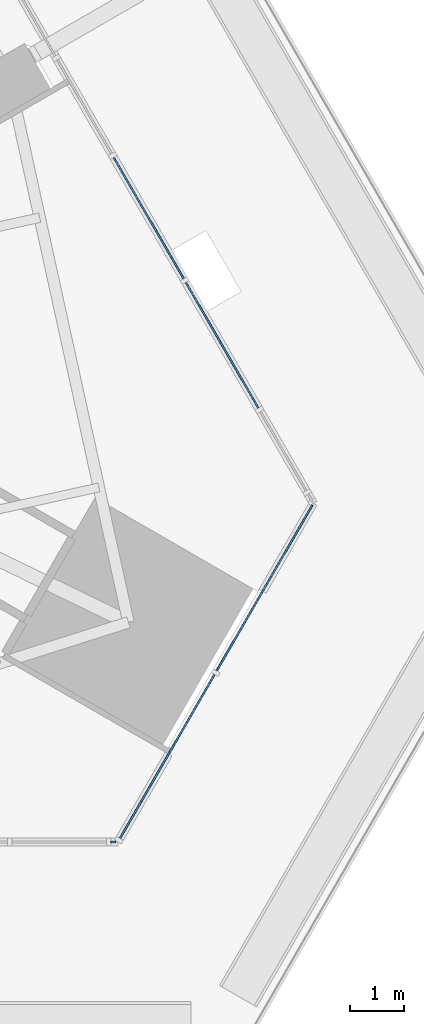
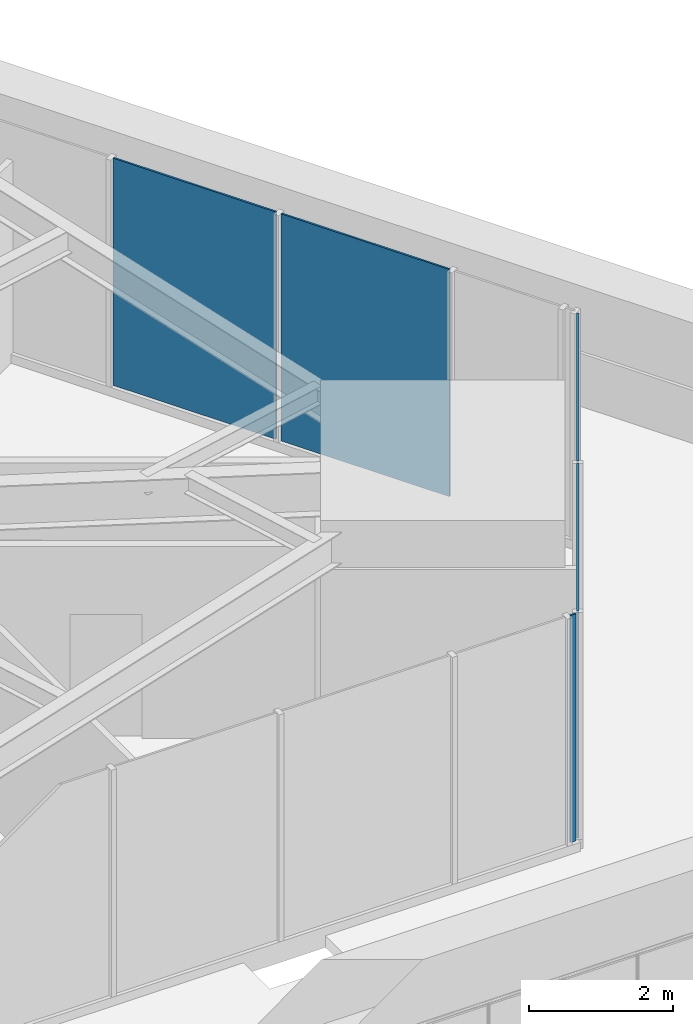
# One storey, part 15 of 29: 5 plates, 3 elements without a shape of their own.
"""IFC4 building model written with IfcOpenShell, lengths in metres."""

from ifc_helpers import new_model, si_unit, direction, frame, origin, place, context, subcontext, project, spatial, polyline, outline, extrude, material, layer, layer_set, type_object, element, aggregate, save


model = new_model("IFC4")

# Units and contexts
model_context = context("Model", 3, precision=1e-05, world=origin(), true_north=direction((0.0, 1.0)))
body_context = subcontext(model_context, "Body", "Model", "MODEL_VIEW")
ifc_project = project(units=[si_unit("LENGTHUNIT", "METRE"), si_unit("AREAUNIT", "SQUARE_METRE"), si_unit("VOLUMEUNIT", "CUBIC_METRE"), si_unit("PLANEANGLEUNIT", "RADIAN"), si_unit("MASSUNIT", "GRAM", prefix="KILO")], contexts=[model_context])

# Site, building, storey
site_placement = place(None, origin())
site = spatial("IfcSite", under=ifc_project, at=site_placement, CompositionType="ELEMENT")
building_placement = place(site_placement, origin())
building = spatial("IfcBuilding", under=site, at=building_placement, Name="Firuza Gate Tower and Library", CompositionType="ELEMENT")
storey_placement = place(building_placement, frame((0.0, 0.0, 48.39990234375)))
storey = spatial("IfcBuildingStorey", under=building, at=storey_placement, Name="L10", CompositionType="ELEMENT", Elevation=48.39990234375)

# Curtain wall, plates
ifc_material_1 = material(Name="Aluminium 6063-T6", Category="aluminium")
ifc_layer_1 = layer(ifc_material_1, 0.14990234375)
ifc_layer_set_1 = layer_set([ifc_layer_1], Name="Corner curtain wall, chamfers")
curtain_wall_type_1 = type_object("IfcCurtainWallType", Name="Corner curtain wall, chamfers", PredefinedType="NOTDEFINED", material=ifc_layer_set_1)
placement = place(storey_placement, origin())
curtain_wall_1 = element("IfcCurtainWall", 1, at=placement, inside=storey, type_object=curtain_wall_type_1, Name="CW4 L10 SE corner", PredefinedType="NOTDEFINED")
ifc_material_2 = material(Name="Fritted glass", Category="glass")
ifc_layer_2 = layer(ifc_material_2, 0.030029296875)
ifc_layer_set_2 = layer_set([ifc_layer_2], Name="Fritted glass unit, corners")
plate_type_1 = type_object("IfcPlateType", Name="Fritted glass unit, corners", PredefinedType="CURTAIN_PANEL", material=ifc_layer_set_2)
plate_1_placement = place(storey_placement, frame((103.778076171875, 54.224365234375, 0.150146484375), z_axis=(0.866046390552, -0.49996364809, 0.0), x_axis=(0.49996364809, 0.866046390552, 0.0)))
plate_1 = element("IfcPlate", 2, at=plate_1_placement, type_object=plate_type_1, Name="Glass unit", PredefinedType="CURTAIN_PANEL", context=body_context, shape_type="SweptSolid", body=[
    extrude(outline(polyline([(0.0, 0.0), (3.563247342942594, 0.0), (3.563247342942594, 3.849853515625), (0.0, 3.849853515625), (0.0, 0.0)])), origin(), (0.0, 0.0, -1.0), 0.030029296875),
])
plate_2_placement = place(storey_placement, frame((105.599609375, 57.37939453125, 0.150146484375), z_axis=(0.866016723041, -0.500015035186, 0.0), x_axis=(0.500015035186, 0.866016723041, 0.0)))
plate_2 = element("IfcPlate", 3, at=plate_2_placement, type_object=plate_type_1, Name="Glass unit", PredefinedType="CURTAIN_PANEL", context=body_context, shape_type="SweptSolid", body=[
    extrude(outline(polyline([(0.0, 0.0), (3.5633694106530625, 0.0), (3.5633694106530625, 3.849853515625), (0.0, 3.849853515625), (0.0, 0.0)])), origin(), (0.0, 0.0, -1.0), 0.030029296875),
])
aggregate(curtain_wall_1, [plate_1, plate_2])

# Curtain wall, plate
ifc_material_3 = material(Name="Aluminium 6063-T6", Category="aluminium")
ifc_layer_3 = layer(ifc_material_3, 0.14990234375)
ifc_layer_set_3 = layer_set([ifc_layer_3], Name="Unitised curtain wall, offices")
curtain_wall_type_2 = type_object("IfcCurtainWallType", Name="Unitised curtain wall, offices", PredefinedType="NOTDEFINED", material=ifc_layer_set_3)
curtain_wall_2 = element("IfcCurtainWall", 4, at=placement, inside=storey, type_object=curtain_wall_type_2, Name="CW1 L10 S face", PredefinedType="NOTDEFINED")
ifc_material_4 = material(Name="Glazed ceramic tile")
ifc_layer_4 = layer(ifc_material_4, 0.030029296875)
ifc_layer_set_4 = layer_set([ifc_layer_4], Name="Opaque ceramic panel, offices")
plate_type_2 = type_object("IfcPlateType", Name="Opaque ceramic panel, offices", PredefinedType="CURTAIN_PANEL", material=ifc_layer_set_4)
plate_3_placement = place(storey_placement, frame((103.6171875, 54.18212890625, 0.150146484375), z_axis=(0.0, -1.0, 0.0), x_axis=(1.0, 0.0, 0.0)))
plate_3 = element("IfcPlate", 5, at=plate_3_placement, type_object=plate_type_2, Name="Opaque ceramic panel", PredefinedType="CURTAIN_PANEL", context=body_context, shape_type="SweptSolid", body=[
    extrude(outline(polyline([(0.0, 0.0), (0.087890625, 0.0), (0.087890625, 3.849853515625), (0.0, 3.849853515625), (0.0, 0.0)])), origin(), (0.0, 0.0, -1.0), 0.030029296875),
])
aggregate(curtain_wall_2, [plate_3])

# Curtain wall, plates
curtain_wall_3 = element("IfcCurtainWall", 6, at=placement, inside=storey, type_object=curtain_wall_type_2, Name="CW1 L10 E face", PredefinedType="NOTDEFINED")
plate_4_placement = place(storey_placement, frame((106.375732421875, 62.29150390625, 0.150146484375), z_axis=(0.866013897511, 0.50001992892, 0.0), x_axis=(-0.50001992892, 0.866013897511, 0.0)))
plate_4 = element("IfcPlate", 7, at=plate_4_placement, type_object=plate_type_2, Name="Opaque ceramic panel", PredefinedType="CURTAIN_PANEL", context=body_context, shape_type="SweptSolid", body=[
    extrude(outline(polyline([(0.0, 0.0), (2.699599431046774, 0.0), (2.699599431046774, 3.849853515625), (0.0, 3.849853515625), (0.0, 0.0)])), origin(), (0.0, 0.0, -1.0), 0.030029296875),
])
plate_5_placement = place(storey_placement, frame((104.98583984375, 64.69873046875, 0.150146484375), z_axis=(0.866028133496, 0.499995271971, 0.0), x_axis=(-0.499995271971, 0.866028133496, 0.0)))
plate_5 = element("IfcPlate", 8, at=plate_5_placement, type_object=plate_type_2, Name="Opaque ceramic panel", PredefinedType="CURTAIN_PANEL", context=body_context, shape_type="SweptSolid", body=[
    extrude(outline(polyline([(0.0, 0.0), (2.607934817033456, 0.0), (2.607934817033456, 3.849853515625001), (0.0, 3.849853515625001), (0.0, 0.0)])), origin(), (0.0, 0.0, -1.0), 0.030029296875),
])
aggregate(curtain_wall_3, [plate_4, plate_5])

save(model, "model.ifc")
